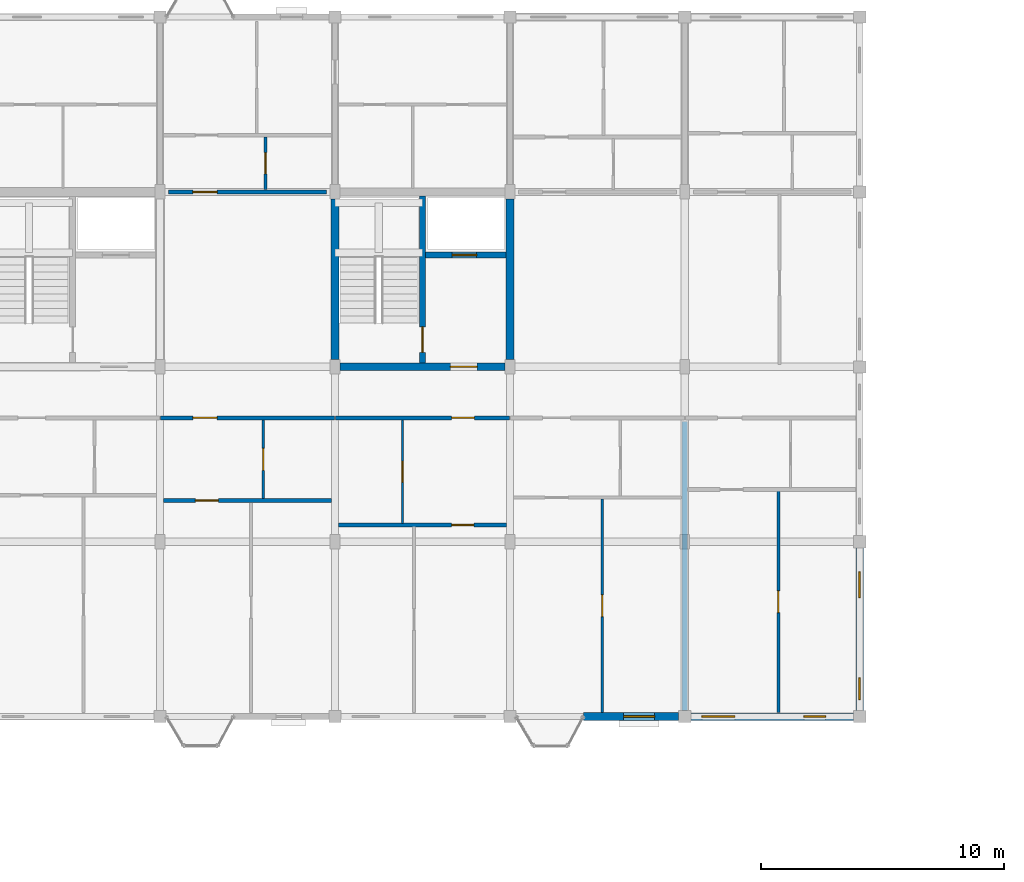
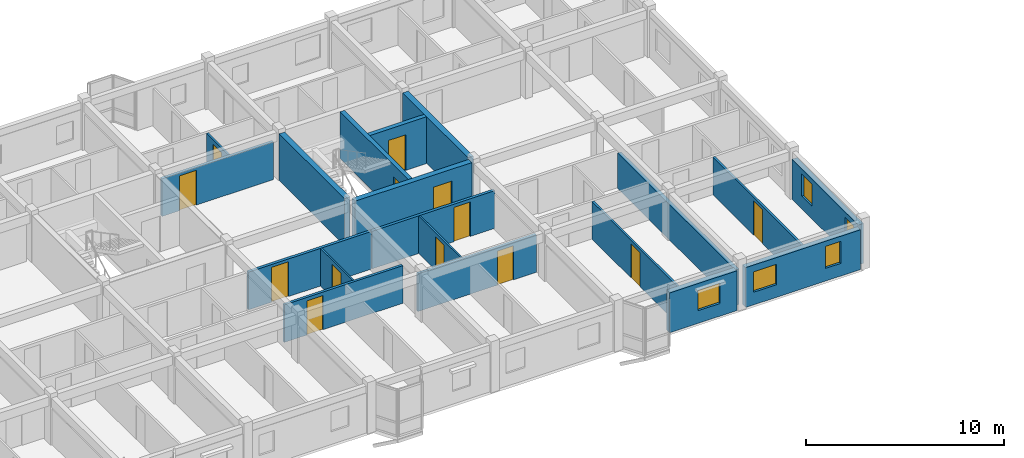
# One storey, part 57 of 65: 19 walls, 13 doors, 5 windows, 18 openings.
"""IFC4 building model written with IfcOpenShell, lengths in metres."""

from ifc_helpers import new_model, si_unit, direction, frame, frame_2d, origin, place, context, subcontext, project, spatial, rectangle, extrude, material, layer, layer_set, type_object, element, fill, save


model = new_model("IFC4")

# Units and contexts
model_context = context("Model", 3, precision=1e-05, world=origin(), true_north=direction((0.0, 1.0)))
body_context = subcontext(model_context, "Body", "Model", "MODEL_VIEW")
ifc_project = project(units=[si_unit("LENGTHUNIT", "METRE"), si_unit("AREAUNIT", "SQUARE_METRE"), si_unit("VOLUMEUNIT", "CUBIC_METRE"), si_unit("PLANEANGLEUNIT", "RADIAN"), si_unit("MASSUNIT", "GRAM", prefix="KILO"), si_unit("THERMODYNAMICTEMPERATUREUNIT", "KELVIN"), si_unit("POWERUNIT", "WATT")], contexts=[model_context])

# Site, building, storey
site_placement = place(None, origin())
site = spatial("IfcSite", under=ifc_project, at=site_placement, CompositionType="ELEMENT")
building_placement = place(site_placement, origin())
building = spatial("IfcBuilding", under=site, at=building_placement, Name="Tavuni Mirador Residences", CompositionType="ELEMENT")
storey_placement = place(building_placement, frame((0.0, 0.0, 29.699951171875)))
storey = spatial("IfcBuildingStorey", under=building, at=storey_placement, Name="L09", CompositionType="ELEMENT", Elevation=29.699951171875)

# Wall, opening, door
ifc_material_1 = material(Name="Precast concrete C40/50", Category="concrete")
ifc_layer_1 = layer(ifc_material_1, 0.25, Name="Precast concrete C40/50", Category="concrete")
ifc_layer_set_1 = layer_set([ifc_layer_1], Name="Precast concrete C40/50")
wall_type_1 = type_object("IfcWallType", Name="WT-COR250", PredefinedType="SHEAR", material=ifc_layer_set_1)
wall_1_placement = place(storey_placement, frame((43.199951171875, 158.56005859375, 0.0), z_axis=(0.0, 0.0, 1.0), x_axis=(0.0, 1.0, 0.0)))
wall_1 = element("IfcWall", 1, at=wall_1_placement, inside=storey, type_object=wall_type_1, Name="CWALL-C6-L09-MID", PredefinedType="SHEAR", context=body_context, shape_type="SweptSolid", body=[
    extrude(rectangle(XDim=6.8798828125, YDim=0.25, at=frame_2d((3.43994140625, 0.0))), origin(), (0.0, 0.0, 1.0), 2.885009765625),
])
opening_1_placement = place(wall_1_placement, frame((0.43994140625, 0.0, 0.0)))
opening_1 = element("IfcOpeningElement", 2, at=opening_1_placement, cuts=wall_1, Name="Opening D-01", PredefinedType="OPENING", context=body_context, shape_type="SweptSolid", body=[
    extrude(rectangle(XDim=1.050048828125, YDim=2.14990234375, at=frame_2d((0.52490234375, 1.074951171875))), frame((0.0, 0.135009765625, 0.0), z_axis=(0.0, -1.0, 0.0), x_axis=(1.0, 0.0, 0.0)), (0.0, 0.0, 1.0), 0.27001953125),
])
ifc_material_2 = material(Name="Solid core iroko timber", Category="wood")
door_type_1 = type_object("IfcDoorType", Name="DT-ST1050", OperationType="NOTDEFINED", PredefinedType="DOOR", material=ifc_material_2)
door_1_placement = place(opening_1_placement, origin())
door_1 = element("IfcDoor", 3, at=door_1_placement, inside=storey, type_object=door_type_1, Name="DR-2247", OperationType="SINGLE_SWING_LEFT", OverallHeight=2.14990234375, OverallWidth=1.050048828125, PredefinedType="DOOR", context=body_context, shape_type="SweptSolid", body=[
    extrude(rectangle(XDim=1.050048828125, YDim=2.14990234375, at=frame_2d((0.52490234375, 1.074951171875))), frame((0.0, 0.02490234375, 0.0), z_axis=(0.0, -1.0, 0.0), x_axis=(1.0, 0.0, 0.0)), (0.0, 0.0, 1.0), 0.050048828125),
])
fill(opening_1, door_1)

wall_2_placement = place(storey_placement, frame((43.324951171875, 163.0, 0.0), z_axis=(0.0, 0.0, 1.0), x_axis=(1.0, 0.0, 0.0)))
wall_2 = element("IfcWall", 4, at=wall_2_placement, inside=storey, type_object=wall_type_1, Name="CWALL-C6-L09-SHF", PredefinedType="SHEAR", context=body_context, shape_type="SweptSolid", body=[
    extrude(rectangle(XDim=3.31494140625, YDim=0.25, at=frame_2d((1.657470703125, 0.0))), origin(), (0.0, 0.0, 1.0), 2.885009765625),
])
opening_2_placement = place(wall_2_placement, frame((1.10009765625, 0.0, 0.0)))
opening_2 = element("IfcOpeningElement", 5, at=opening_2_placement, cuts=wall_2, Name="Opening LD-02", PredefinedType="OPENING", context=body_context, shape_type="SweptSolid", body=[
    extrude(rectangle(XDim=1.0, YDim=2.199951171875, at=frame_2d((0.5, 1.10009765625))), frame((0.0, 0.135009765625, 0.0), z_axis=(0.0, -1.0, 0.0), x_axis=(1.0, 0.0, 0.0)), (0.0, 0.0, 1.0), 0.27001953125),
])
ifc_material_3 = material(Name="Structural steel S355", Category="steel")
door_type_2 = type_object("IfcDoorType", Name="DT-LD-PAX", OperationType="SLIDING_TO_LEFT", PredefinedType="DOOR", material=ifc_material_3)
door_2_placement = place(opening_2_placement, origin())
door_2 = element("IfcDoor", 6, at=door_2_placement, inside=storey, type_object=door_type_2, Name="Lift landing door PL-C1 L09", OperationType="SLIDING_TO_LEFT", OverallHeight=2.199951171875, OverallWidth=1.0, PredefinedType="DOOR", context=body_context, shape_type="SweptSolid", body=[
    extrude(rectangle(XDim=1.0, YDim=2.199951171875, at=frame_2d((0.5, 1.10009765625))), frame((0.0, 0.02490234375, 0.0), z_axis=(0.0, -1.0, 0.0), x_axis=(1.0, 0.0, 0.0)), (0.0, 0.0, 1.0), 0.050048828125),
])
fill(opening_2, door_2)

# Walls
ifc_layer_2 = layer(ifc_material_1, 0.320068359375, Name="Precast concrete C40/50", Category="concrete")
ifc_layer_set_2 = layer_set([ifc_layer_2], Name="Precast concrete C40/50")
wall_type_2 = type_object("IfcWallType", Name="WT-COR320", PredefinedType="SHEAR", material=ifc_layer_set_2)
for number, where, z_axis, x_axis, name in (
    (7, (39.60009765625, 158.699951171875, 0.0), (0.0, 0.0, 1.0), (0.0, 1.0, 0.0), "CWALL-C6-L09-W"),
    (8, (46.800048828125, 158.699951171875, 0.0), (0.0, 0.0, 1.0), (0.0, 1.0, 0.0), "CWALL-C6-L09-E"),
):
    element("IfcWall", number, at=place(storey_placement, frame(where, z_axis=z_axis, x_axis=x_axis)), inside=storey, type_object=wall_type_2, Name=name, PredefinedType="SHEAR", context=body_context, shape_type="SweptSolid", body=[
        extrude(rectangle(XDim=6.60009765625, YDim=0.320068359375, at=frame_2d((3.300048828125, 0.0))), origin(), (0.0, 0.0, 1.0), 2.885009765625),
    ])

# Wall, opening, door
wall_3_placement = place(storey_placement, frame((39.800048828125, 158.39990234375, 0.0), z_axis=(0.0, 0.0, 1.0), x_axis=(1.0, 0.0, 0.0)))
wall_3 = element("IfcWall", 9, at=wall_3_placement, inside=storey, type_object=wall_type_2, Name="CWALL-C6-L09-SS", PredefinedType="SHEAR", context=body_context, shape_type="SweptSolid", body=[
    extrude(rectangle(XDim=6.800048828125, YDim=0.320068359375, at=frame_2d((3.39990234375, 0.0))), origin(), (0.0, 0.0, 1.0), 2.885009765625),
])
opening_3_placement = place(wall_3_placement, frame((4.550048828125, 0.0, 0.0)))
opening_3 = element("IfcOpeningElement", 10, at=opening_3_placement, cuts=wall_3, Name="Opening D-02", PredefinedType="OPENING", context=body_context, shape_type="SweptSolid", body=[
    extrude(rectangle(XDim=1.10009765625, YDim=2.14990234375, at=frame_2d((0.550048828125, 1.074951171875))), frame((0.0, 0.169921875, 0.0), z_axis=(0.0, -1.0, 0.0), x_axis=(1.0, 0.0, 0.0)), (0.0, 0.0, 1.0), 0.340087890625),
])
door_type_3 = type_object("IfcDoorType", Name="DT-LOB1100", OperationType="NOTDEFINED", PredefinedType="DOOR", material=ifc_material_2)
door_3_placement = place(opening_3_placement, frame((1.10009765625, 0.0, 0.0), z_axis=(0.0, 0.0, 1.0), x_axis=(-1.0, 0.0, 0.0)))
door_3 = element("IfcDoor", 11, at=door_3_placement, inside=storey, type_object=door_type_3, Name="DR-2246", OperationType="SINGLE_SWING_RIGHT", OverallHeight=2.14990234375, OverallWidth=1.10009765625, PredefinedType="DOOR", context=body_context, shape_type="SweptSolid", body=[
    extrude(rectangle(XDim=1.10009765625, YDim=2.14990234375, at=frame_2d((0.550048828125, 1.074951171875))), frame((0.0, 0.02490234375, 0.0), z_axis=(0.0, -1.0, 0.0), x_axis=(1.0, 0.0, 0.0)), (0.0, 0.0, 1.0), 0.050048828125),
])
fill(opening_3, door_3)

ifc_layer_3 = layer(ifc_material_1, 0.1650390625, Name="Precast concrete C40/50", Category="concrete")
ifc_layer_set_3 = layer_set([ifc_layer_3], Name="Precast concrete C40/50")
wall_type_3 = type_object("IfcWallType", Name="WT-CORR165", PredefinedType="PARTITIONING", material=ifc_layer_set_3)
wall_4_placement = place(storey_placement, frame((32.419921875, 156.300048828125, 0.0), z_axis=(0.0, 0.0, 1.0), x_axis=(1.0, 0.0, 0.0)))
wall_4 = element("IfcWall", 12, at=wall_4_placement, inside=storey, type_object=wall_type_3, Name="CORW-BLK-C-L09-0-03", PredefinedType="PARTITIONING", context=body_context, shape_type="SweptSolid", body=[
    extrude(rectangle(XDim=7.16015625, YDim=0.1650390625, at=frame_2d((3.580078125, 0.0))), origin(), (0.0, 0.0, 1.0), 2.320068359375),
])
opening_4_placement = place(wall_4_placement, frame((1.330078125, 0.0, 0.0)))
opening_4 = element("IfcOpeningElement", 13, at=opening_4_placement, cuts=wall_4, Name="Opening D-03", PredefinedType="OPENING", context=body_context, shape_type="SweptSolid", body=[
    extrude(rectangle(XDim=1.0, YDim=2.14990234375, at=frame_2d((0.5, 1.074951171875))), frame((0.0, 0.092529296875, 0.0), z_axis=(0.0, -1.0, 0.0), x_axis=(1.0, 0.0, 0.0)), (0.0, 0.0, 1.0), 0.18505859375),
])
door_type_4 = type_object("IfcDoorType", Name="DT-FD60-1000", OperationType="NOTDEFINED", PredefinedType="DOOR", material=ifc_material_2)
door_4_placement = place(opening_4_placement, origin())
door_4 = element("IfcDoor", 14, at=door_4_placement, inside=storey, type_object=door_type_4, Name="DR-2754", OperationType="SINGLE_SWING_LEFT", OverallHeight=2.14990234375, OverallWidth=1.0, PredefinedType="DOOR", context=body_context, shape_type="SweptSolid", body=[
    extrude(rectangle(XDim=1.0, YDim=2.14990234375, at=frame_2d((0.5, 1.074951171875))), frame((0.0, 0.02490234375, 0.0), z_axis=(0.0, -1.0, 0.0), x_axis=(1.0, 0.0, 0.0)), (0.0, 0.0, 1.0), 0.050048828125),
])
fill(opening_4, door_4)

wall_5_placement = place(storey_placement, frame((39.6201171875, 156.300048828125, 0.0), z_axis=(0.0, 0.0, 1.0), x_axis=(1.0, 0.0, 0.0)))
wall_5 = element("IfcWall", 15, at=wall_5_placement, inside=storey, type_object=wall_type_3, Name="CORW-BLK-C-L09-0-04", PredefinedType="PARTITIONING", context=body_context, shape_type="SweptSolid", body=[
    extrude(rectangle(XDim=7.159912109375, YDim=0.1650390625, at=frame_2d((3.580078125, 0.0))), origin(), (0.0, 0.0, 1.0), 2.320068359375),
])
opening_5_placement = place(wall_5_placement, frame((4.780029296875, 0.0, 0.0)))
opening_5 = element("IfcOpeningElement", 16, at=opening_5_placement, cuts=wall_5, Name="Opening D-19", PredefinedType="OPENING", context=body_context, shape_type="SweptSolid", body=[
    extrude(rectangle(XDim=0.93994140625, YDim=2.1201171875, at=frame_2d((0.469970703125, 1.06005859375))), frame((0.0, 0.092529296875, 0.0), z_axis=(0.0, -1.0, 0.0), x_axis=(1.0, 0.0, 0.0)), (0.0, 0.0, 1.0), 0.18505859375),
])
door_type_5 = type_object("IfcDoorType", Name="DT-FD60-940", OperationType="NOTDEFINED", PredefinedType="DOOR", material=ifc_material_2)
door_5_placement = place(opening_5_placement, origin())
door_5 = element("IfcDoor", 17, at=door_5_placement, inside=storey, type_object=door_type_5, Name="DR-2755", OperationType="SINGLE_SWING_RIGHT", OverallHeight=2.1201171875, OverallWidth=0.93994140625, PredefinedType="DOOR", context=body_context, shape_type="SweptSolid", body=[
    extrude(rectangle(XDim=0.93994140625, YDim=2.1201171875, at=frame_2d((0.469970703125, 1.06005859375))), frame((0.0, 0.02490234375, 0.0), z_axis=(0.0, -1.0, 0.0), x_axis=(1.0, 0.0, 0.0)), (0.0, 0.0, 1.0), 0.050048828125),
])
fill(opening_5, door_5)

wall_6_placement = place(storey_placement, frame((32.75, 165.60009765625, 0.0), z_axis=(0.0, 0.0, 1.0), x_axis=(1.0, 0.0, 0.0)))
wall_6 = element("IfcWall", 18, at=wall_6_placement, inside=storey, type_object=wall_type_3, Name="CORW-BLK-C-L09-1-03", PredefinedType="PARTITIONING", context=body_context, shape_type="SweptSolid", body=[
    extrude(rectangle(XDim=6.5, YDim=0.1650390625, at=frame_2d((3.25, 0.0))), origin(), (0.0, 0.0, 1.0), 2.320068359375),
])
opening_6_placement = place(wall_6_placement, frame((1.0, 0.0, 0.0)))
opening_6 = element("IfcOpeningElement", 19, at=opening_6_placement, cuts=wall_6, Name="Opening D-03", PredefinedType="OPENING", context=body_context, shape_type="SweptSolid", body=[
    extrude(rectangle(XDim=1.0, YDim=2.14990234375, at=frame_2d((0.5, 1.074951171875))), frame((0.0, 0.092529296875, 0.0), z_axis=(0.0, -1.0, 0.0), x_axis=(1.0, 0.0, 0.0)), (0.0, 0.0, 1.0), 0.18505859375),
])
door_6_placement = place(opening_6_placement, origin())
door_6 = element("IfcDoor", 20, at=door_6_placement, inside=storey, type_object=door_type_4, Name="DR-2760", OperationType="SINGLE_SWING_LEFT", OverallHeight=2.14990234375, OverallWidth=1.0, PredefinedType="DOOR", context=body_context, shape_type="SweptSolid", body=[
    extrude(rectangle(XDim=1.0, YDim=2.14990234375, at=frame_2d((0.5, 1.074951171875))), frame((0.0, 0.02490234375, 0.0), z_axis=(0.0, -1.0, 0.0), x_axis=(1.0, 0.0, 0.0)), (0.0, 0.0, 1.0), 0.050048828125),
])
fill(opening_6, door_6)

# Wall, opening, window
ifc_layer_4 = layer(ifc_material_1, 0.330078125, Name="Precast concrete C40/50", Category="concrete")
ifc_layer_set_4 = layer_set([ifc_layer_4], Name="Precast concrete C40/50")
wall_type_4 = type_object("IfcWallType", Name="WT-EXT-COR330", PredefinedType="SOLIDWALL", material=ifc_layer_set_4)
wall_7_placement = place(storey_placement, frame((49.820068359375, 144.0, 0.0), z_axis=(0.0, 0.0, 1.0), x_axis=(1.0, 0.0, 0.0)))
wall_7 = element("IfcWall", 21, at=wall_7_placement, inside=storey, type_object=wall_type_4, Name="EW-BLK-C-L09-S05", PredefinedType="SOLIDWALL", context=body_context, shape_type="SweptSolid", body=[
    extrude(rectangle(XDim=3.929931640625, YDim=0.330078125, at=frame_2d((1.96484375, 0.0))), origin(), (0.0, 0.0, 1.0), 2.455078125),
])
opening_7_placement = place(wall_7_placement, frame((1.659912109375, 0.0, 0.780029296875)))
opening_7 = element("IfcOpeningElement", 22, at=opening_7_placement, cuts=wall_7, Name="Opening WN-14", PredefinedType="OPENING", context=body_context, shape_type="SweptSolid", body=[
    extrude(rectangle(XDim=1.280029296875, YDim=1.260009765625, at=frame_2d((0.64013671875, 0.6298828125))), frame((0.0, 0.175048828125, 0.0), z_axis=(0.0, -1.0, 0.0), x_axis=(1.0, 0.0, 0.0)), (0.0, 0.0, 1.0), 0.35009765625),
])
ifc_material_4 = material(Name="Laminated solar-control glass", Category="glass")
window_type_1 = type_object("IfcWindowType", Name="WNT-14", PartitioningType="SINGLE_PANEL", PredefinedType="WINDOW", material=ifc_material_4)
window_1_placement = place(opening_7_placement, origin())
window_1 = element("IfcWindow", 23, at=window_1_placement, inside=storey, type_object=window_type_1, Name="WIN-1234", OverallHeight=1.260009765625, OverallWidth=1.280029296875, PartitioningType="SINGLE_PANEL", PredefinedType="WINDOW", context=body_context, shape_type="SweptSolid", body=[
    extrude(rectangle(XDim=1.280029296875, YDim=1.260009765625, at=frame_2d((0.64013671875, 0.6298828125))), frame((0.0, 0.030029296875, 0.0), z_axis=(0.0, -1.0, 0.0), x_axis=(1.0, 0.0, 0.0)), (0.0, 0.0, 1.0), 0.06005859375),
])
fill(opening_7, window_1)

# Wall, openings, windows
ifc_material_5 = material(Name="Sgraffito lime-rendered precast concrete C40/50", Category="concrete")
ifc_layer_5 = layer(ifc_material_5, 0.304931640625, Name="Sgraffito lime-rendered precast concrete C40/50", Category="concrete")
ifc_layer_set_5 = layer_set([ifc_layer_5], Name="Sgraffito lime-rendered precast concrete C40/50")
wall_type_5 = type_object("IfcWallType", Name="WT-EXT-PC305", PredefinedType="SOLIDWALL", material=ifc_layer_set_5)
wall_8_placement = place(storey_placement, frame((61.199951171875, 144.25, 0.0), z_axis=(0.0, 0.0, 1.0), x_axis=(0.0, 1.0, 0.0)))
wall_8 = element("IfcWall", 24, at=wall_8_placement, inside=storey, type_object=wall_type_5, Name="EW-BLK-C-L09-E00", PredefinedType="SOLIDWALL", context=body_context, shape_type="SweptSolid", body=[
    extrude(rectangle(XDim=6.699951171875, YDim=0.304931640625, at=frame_2d((3.35009765625, 0.0))), origin(), (0.0, 0.0, 1.0), 2.455078125),
])
opening_8_placement = place(wall_8_placement, frame((0.449951171875, 0.0, 0.780029296875)))
opening_8 = element("IfcOpeningElement", 25, at=opening_8_placement, cuts=wall_8, Name="Opening WN-17", PredefinedType="OPENING", context=body_context, shape_type="SweptSolid", body=[
    extrude(rectangle(XDim=0.89990234375, YDim=1.360107421875, at=frame_2d((0.449951171875, 0.68017578125))), frame((0.0, 0.16259765625, 0.0), z_axis=(0.0, -1.0, 0.0), x_axis=(1.0, 0.0, 0.0)), (0.0, 0.0, 1.0), 0.324951171875),
])
opening_9_placement = place(wall_8_placement, frame((4.64990234375, 0.0, 0.780029296875)))
opening_9 = element("IfcOpeningElement", 26, at=opening_9_placement, cuts=wall_8, Name="Opening WN-19", PredefinedType="OPENING", context=body_context, shape_type="SweptSolid", body=[
    extrude(rectangle(XDim=1.06005859375, YDim=1.360107421875, at=frame_2d((0.530029296875, 0.68017578125))), frame((0.0, 0.16259765625, 0.0), z_axis=(0.0, -1.0, 0.0), x_axis=(1.0, 0.0, 0.0)), (0.0, 0.0, 1.0), 0.324951171875),
])
window_type_2 = type_object("IfcWindowType", Name="WNT-17", PartitioningType="SINGLE_PANEL", PredefinedType="WINDOW", material=ifc_material_4)
window_2_placement = place(opening_8_placement, origin())
window_2 = element("IfcWindow", 27, at=window_2_placement, inside=storey, type_object=window_type_2, Name="WIN-1237", OverallHeight=1.360107421875, OverallWidth=0.89990234375, PartitioningType="SINGLE_PANEL", PredefinedType="WINDOW", context=body_context, shape_type="SweptSolid", body=[
    extrude(rectangle(XDim=0.89990234375, YDim=1.360107421875, at=frame_2d((0.449951171875, 0.68017578125))), frame((0.0, 0.030029296875, 0.0), z_axis=(0.0, -1.0, 0.0), x_axis=(1.0, 0.0, 0.0)), (0.0, 0.0, 1.0), 0.06005859375),
])
fill(opening_8, window_2)
window_type_3 = type_object("IfcWindowType", Name="WNT-19", PartitioningType="SINGLE_PANEL", PredefinedType="WINDOW", material=ifc_material_4)
window_3_placement = place(opening_9_placement, origin())
window_3 = element("IfcWindow", 28, at=window_3_placement, inside=storey, type_object=window_type_3, Name="WIN-1238", OverallHeight=1.360107421875, OverallWidth=1.06005859375, PartitioningType="SINGLE_PANEL", PredefinedType="WINDOW", context=body_context, shape_type="SweptSolid", body=[
    extrude(rectangle(XDim=1.06005859375, YDim=1.360107421875, at=frame_2d((0.530029296875, 0.68017578125))), frame((0.0, 0.030029296875, 0.0), z_axis=(0.0, -1.0, 0.0), x_axis=(1.0, 0.0, 0.0)), (0.0, 0.0, 1.0), 0.06005859375),
])
fill(opening_9, window_3)

ifc_layer_6 = layer(ifc_material_5, 0.31494140625, Name="Sgraffito lime-rendered precast concrete C40/50", Category="concrete")
ifc_layer_set_6 = layer_set([ifc_layer_6], Name="Sgraffito lime-rendered precast concrete C40/50")
wall_type_6 = type_object("IfcWallType", Name="WT-EXT-PC315", PredefinedType="SOLIDWALL", material=ifc_layer_set_6)
wall_9_placement = place(storey_placement, frame((54.25, 144.0, 0.0), z_axis=(0.0, 0.0, 1.0), x_axis=(1.0, 0.0, 0.0)))
wall_9 = element("IfcWall", 29, at=wall_9_placement, inside=storey, type_object=wall_type_6, Name="EW-BLK-C-L09-S06", PredefinedType="SOLIDWALL", context=body_context, shape_type="SweptSolid", body=[
    extrude(rectangle(XDim=6.699951171875, YDim=0.31494140625, at=frame_2d((3.35009765625, 0.0))), origin(), (0.0, 0.0, 1.0), 2.455078125),
])
opening_10_placement = place(wall_9_placement, frame((0.449951171875, 0.0, 0.780029296875)))
opening_10 = element("IfcOpeningElement", 30, at=opening_10_placement, cuts=wall_9, Name="Opening WN-15", PredefinedType="OPENING", context=body_context, shape_type="SweptSolid", body=[
    extrude(rectangle(XDim=1.360107421875, YDim=1.260009765625, at=frame_2d((0.68017578125, 0.6298828125))), frame((0.0, 0.16748046875, 0.0), z_axis=(0.0, -1.0, 0.0), x_axis=(1.0, 0.0, 0.0)), (0.0, 0.0, 1.0), 0.3349609375),
])
opening_11_placement = place(wall_9_placement, frame((4.64990234375, 0.0, 0.780029296875)))
opening_11 = element("IfcOpeningElement", 31, at=opening_11_placement, cuts=wall_9, Name="Opening WN-17", PredefinedType="OPENING", context=body_context, shape_type="SweptSolid", body=[
    extrude(rectangle(XDim=0.89990234375, YDim=1.360107421875, at=frame_2d((0.449951171875, 0.68017578125))), frame((0.0, 0.16748046875, 0.0), z_axis=(0.0, -1.0, 0.0), x_axis=(1.0, 0.0, 0.0)), (0.0, 0.0, 1.0), 0.3349609375),
])
window_type_4 = type_object("IfcWindowType", Name="WNT-15", PartitioningType="SINGLE_PANEL", PredefinedType="WINDOW", material=ifc_material_4)
window_4_placement = place(opening_10_placement, origin())
window_4 = element("IfcWindow", 32, at=window_4_placement, inside=storey, type_object=window_type_4, Name="WIN-1235", OverallHeight=1.260009765625, OverallWidth=1.360107421875, PartitioningType="SINGLE_PANEL", PredefinedType="WINDOW", context=body_context, shape_type="SweptSolid", body=[
    extrude(rectangle(XDim=1.360107421875, YDim=1.260009765625, at=frame_2d((0.68017578125, 0.6298828125))), frame((0.0, 0.030029296875, 0.0), z_axis=(0.0, -1.0, 0.0), x_axis=(1.0, 0.0, 0.0)), (0.0, 0.0, 1.0), 0.06005859375),
])
fill(opening_10, window_4)
window_5_placement = place(opening_11_placement, origin())
window_5 = element("IfcWindow", 33, at=window_5_placement, inside=storey, type_object=window_type_2, Name="WIN-1236", OverallHeight=1.360107421875, OverallWidth=0.89990234375, PartitioningType="SINGLE_PANEL", PredefinedType="WINDOW", context=body_context, shape_type="SweptSolid", body=[
    extrude(rectangle(XDim=0.89990234375, YDim=1.360107421875, at=frame_2d((0.449951171875, 0.68017578125))), frame((0.0, 0.030029296875, 0.0), z_axis=(0.0, -1.0, 0.0), x_axis=(1.0, 0.0, 0.0)), (0.0, 0.0, 1.0), 0.06005859375),
])
fill(opening_11, window_5)

# Wall, opening, door
ifc_material_6 = material(Name="Acoustic gypsum and concrete block partition", Category="concrete")
ifc_layer_7 = layer(ifc_material_6, 0.094970703125, Name="Acoustic gypsum and concrete block partition", Category="concrete")
ifc_layer_set_7 = layer_set([ifc_layer_7], Name="Acoustic gypsum and concrete block partition")
wall_type_7 = type_object("IfcWallType", Name="WT-PART095", PredefinedType="PARTITIONING", material=ifc_layer_set_7)
wall_10_placement = place(storey_placement, frame((36.64990234375, 152.969970703125, 0.0), z_axis=(0.0, 0.0, 1.0), x_axis=(0.0, 1.0, 0.0)))
wall_10 = element("IfcWall", 34, at=wall_10_placement, inside=storey, type_object=wall_type_7, Name="PW-BLK-C-L09-S03-IN1", PredefinedType="PARTITIONING", context=body_context, shape_type="SweptSolid", body=[
    extrude(rectangle(XDim=3.239990234375, YDim=0.094970703125, at=frame_2d((1.6201171875, 0.0))), origin(), (0.0, 0.0, 1.0), 2.320068359375),
])
opening_12_placement = place(wall_10_placement, frame((1.169921875, 0.0, 0.0)))
opening_12 = element("IfcOpeningElement", 35, at=opening_12_placement, cuts=wall_10, Name="Opening D-09", PredefinedType="OPENING", context=body_context, shape_type="SweptSolid", body=[
    extrude(rectangle(XDim=0.89990234375, YDim=2.050048828125, at=frame_2d((0.449951171875, 1.02490234375))), frame((0.0, 0.0576171875, 0.0), z_axis=(0.0, -1.0, 0.0), x_axis=(1.0, 0.0, 0.0)), (0.0, 0.0, 1.0), 0.114990234375),
])
door_type_6 = type_object("IfcDoorType", Name="DT-WC900", OperationType="NOTDEFINED", PredefinedType="DOOR", material=ifc_material_2)
door_7_placement = place(opening_12_placement, origin())
door_7 = element("IfcDoor", 36, at=door_7_placement, inside=storey, type_object=door_type_6, Name="DR-4132", OperationType="SINGLE_SWING_LEFT", OverallHeight=2.050048828125, OverallWidth=0.89990234375, PredefinedType="DOOR", context=body_context, shape_type="SweptSolid", body=[
    extrude(rectangle(XDim=0.89990234375, YDim=2.050048828125, at=frame_2d((0.449951171875, 1.02490234375))), frame((0.0, 0.02490234375, 0.0), z_axis=(0.0, -1.0, 0.0), x_axis=(1.0, 0.0, 0.0)), (0.0, 0.0, 1.0), 0.050048828125),
])
fill(opening_12, door_7)

wall_11_placement = place(storey_placement, frame((42.3798828125, 151.9599609375, 0.0), z_axis=(0.0, 0.0, 1.0), x_axis=(0.0, 1.0, 0.0)))
wall_11 = element("IfcWall", 37, at=wall_11_placement, inside=storey, type_object=wall_type_7, Name="PW-BLK-C-L09-S04-IN1", PredefinedType="PARTITIONING", context=body_context, shape_type="SweptSolid", body=[
    extrude(rectangle(XDim=4.25, YDim=0.094970703125, at=frame_2d((2.125, 0.0))), origin(), (0.0, 0.0, 1.0), 2.320068359375),
])
opening_13_placement = place(wall_11_placement, frame((1.68994140625, 0.0, 0.0)))
opening_13 = element("IfcOpeningElement", 38, at=opening_13_placement, cuts=wall_11, Name="Opening D-10", PredefinedType="OPENING", context=body_context, shape_type="SweptSolid", body=[
    extrude(rectangle(XDim=0.8701171875, YDim=2.050048828125, at=frame_2d((0.43505859375, 1.02490234375))), frame((0.0, 0.0576171875, 0.0), z_axis=(0.0, -1.0, 0.0), x_axis=(1.0, 0.0, 0.0)), (0.0, 0.0, 1.0), 0.114990234375),
])
door_type_7 = type_object("IfcDoorType", Name="DT-WC870", OperationType="NOTDEFINED", PredefinedType="DOOR", material=ifc_material_2)
door_8_placement = place(opening_13_placement, origin())
door_8 = element("IfcDoor", 39, at=door_8_placement, inside=storey, type_object=door_type_7, Name="DR-4138", OperationType="SINGLE_SWING_RIGHT", OverallHeight=2.050048828125, OverallWidth=0.8701171875, PredefinedType="DOOR", context=body_context, shape_type="SweptSolid", body=[
    extrude(rectangle(XDim=0.8701171875, YDim=2.050048828125, at=frame_2d((0.43505859375, 1.02490234375))), frame((0.0, 0.02490234375, 0.0), z_axis=(0.0, -1.0, 0.0), x_axis=(1.0, 0.0, 0.0)), (0.0, 0.0, 1.0), 0.050048828125),
])
fill(opening_13, door_8)

ifc_layer_8 = layer(ifc_material_6, 0.10498046875, Name="Acoustic gypsum and concrete block partition", Category="concrete")
ifc_layer_set_8 = layer_set([ifc_layer_8], Name="Acoustic gypsum and concrete block partition")
wall_type_8 = type_object("IfcWallType", Name="WT-PART105", PredefinedType="PARTITIONING", material=ifc_layer_set_8)
wall_12_placement = place(storey_placement, frame((36.739990234375, 165.68994140625, 0.0), z_axis=(0.0, 0.0, 1.0), x_axis=(0.0, 1.0, 0.0)))
wall_12 = element("IfcWall", 40, at=wall_12_placement, inside=storey, type_object=wall_type_8, Name="PW-BLK-C-L09-N03-IN1", PredefinedType="PARTITIONING", context=body_context, shape_type="SweptSolid", body=[
    extrude(rectangle(XDim=2.18017578125, YDim=0.10498046875, at=frame_2d((1.090087890625, 0.0))), origin(), (0.0, 0.0, 1.0), 2.320068359375),
])
opening_14_placement = place(wall_12_placement, frame((0.655029296875, 0.0, 0.0)))
opening_14 = element("IfcOpeningElement", 41, at=opening_14_placement, cuts=wall_12, Name="Opening D-10", PredefinedType="OPENING", context=body_context, shape_type="SweptSolid", body=[
    extrude(rectangle(XDim=0.8701171875, YDim=2.050048828125, at=frame_2d((0.43505859375, 1.02490234375))), frame((0.0, 0.0625, 0.0), z_axis=(0.0, -1.0, 0.0), x_axis=(1.0, 0.0, 0.0)), (0.0, 0.0, 1.0), 0.125),
])
door_9_placement = place(opening_14_placement, origin())
door_9 = element("IfcDoor", 42, at=door_9_placement, inside=storey, type_object=door_type_7, Name="DR-4135", OperationType="SINGLE_SWING_RIGHT", OverallHeight=2.050048828125, OverallWidth=0.8701171875, PredefinedType="DOOR", context=body_context, shape_type="SweptSolid", body=[
    extrude(rectangle(XDim=0.8701171875, YDim=2.050048828125, at=frame_2d((0.43505859375, 1.02490234375))), frame((0.0, 0.02490234375, 0.0), z_axis=(0.0, -1.0, 0.0), x_axis=(1.0, 0.0, 0.0)), (0.0, 0.0, 1.0), 0.050048828125),
])
fill(opening_14, door_9)

ifc_layer_9 = layer(ifc_material_6, 0.114990234375, Name="Acoustic gypsum and concrete block partition", Category="concrete")
ifc_layer_set_9 = layer_set([ifc_layer_9], Name="Acoustic gypsum and concrete block partition")
wall_type_9 = type_object("IfcWallType", Name="WT-PART115", PredefinedType="PARTITIONING", material=ifc_layer_set_9)
wall_13_placement = place(storey_placement, frame((50.60009765625, 144.175048828125, 0.0), z_axis=(0.0, 0.0, 1.0), x_axis=(0.0, 1.0, 0.0)))
wall_13 = element("IfcWall", 43, at=wall_13_placement, inside=storey, type_object=wall_type_9, Name="PW-BLK-C-L09-S05-OUT", PredefinedType="PARTITIONING", context=body_context, shape_type="SweptSolid", body=[
    extrude(rectangle(XDim=8.77490234375, YDim=0.114990234375, at=frame_2d((4.387451171875, 0.0))), origin(), (0.0, 0.0, 1.0), 2.320068359375),
])
opening_15_placement = place(wall_13_placement, frame((3.9375, 0.0, 0.0)))
opening_15 = element("IfcOpeningElement", 44, at=opening_15_placement, cuts=wall_13, Name="Opening D-07", PredefinedType="OPENING", context=body_context, shape_type="SweptSolid", body=[
    extrude(rectangle(XDim=0.89990234375, YDim=2.10009765625, at=frame_2d((0.449951171875, 1.050048828125))), frame((0.0, 0.0673828125, 0.0), z_axis=(0.0, -1.0, 0.0), x_axis=(1.0, 0.0, 0.0)), (0.0, 0.0, 1.0), 0.135009765625),
])
door_type_8 = type_object("IfcDoorType", Name="DT-BED900", OperationType="NOTDEFINED", PredefinedType="DOOR", material=ifc_material_2)
door_10_placement = place(opening_15_placement, origin())
door_10 = element("IfcDoor", 45, at=door_10_placement, inside=storey, type_object=door_type_8, Name="DR-4142", OperationType="SINGLE_SWING_RIGHT", OverallHeight=2.10009765625, OverallWidth=0.89990234375, PredefinedType="DOOR", context=body_context, shape_type="SweptSolid", body=[
    extrude(rectangle(XDim=0.89990234375, YDim=2.10009765625, at=frame_2d((0.449951171875, 1.050048828125))), frame((0.0, 0.02490234375, 0.0), z_axis=(0.0, -1.0, 0.0), x_axis=(1.0, 0.0, 0.0)), (0.0, 0.0, 1.0), 0.050048828125),
])
fill(opening_15, door_10)

ifc_layer_10 = layer(ifc_material_6, 0.125, Name="Acoustic gypsum and concrete block partition", Category="concrete")
ifc_layer_set_10 = layer_set([ifc_layer_10], Name="Acoustic gypsum and concrete block partition")
wall_type_10 = type_object("IfcWallType", Name="WT-PART125", PredefinedType="PARTITIONING", material=ifc_layer_set_10)
wall_14_placement = place(storey_placement, frame((57.85009765625, 144.175048828125, 0.0), z_axis=(0.0, 0.0, 1.0), x_axis=(0.0, 1.0, 0.0)))
wall_14 = element("IfcWall", 46, at=wall_14_placement, inside=storey, type_object=wall_type_10, Name="PW-BLK-C-L09-S06-OUT", PredefinedType="PARTITIONING", context=body_context, shape_type="SweptSolid", body=[
    extrude(rectangle(XDim=9.10498046875, YDim=0.125, at=frame_2d((4.552490234375, 0.0))), origin(), (0.0, 0.0, 1.0), 2.320068359375),
])
opening_16_placement = place(wall_14_placement, frame((4.1025390625, 0.0, 0.0)))
opening_16 = element("IfcOpeningElement", 47, at=opening_16_placement, cuts=wall_14, Name="Opening D-07", PredefinedType="OPENING", context=body_context, shape_type="SweptSolid", body=[
    extrude(rectangle(XDim=0.89990234375, YDim=2.10009765625, at=frame_2d((0.449951171875, 1.050048828125))), frame((0.0, 0.072509765625, 0.0), z_axis=(0.0, -1.0, 0.0), x_axis=(1.0, 0.0, 0.0)), (0.0, 0.0, 1.0), 0.14501953125),
])
door_11_placement = place(opening_16_placement, origin())
door_11 = element("IfcDoor", 48, at=door_11_placement, inside=storey, type_object=door_type_8, Name="DR-4149", OperationType="SINGLE_SWING_RIGHT", OverallHeight=2.10009765625, OverallWidth=0.89990234375, PredefinedType="DOOR", context=body_context, shape_type="SweptSolid", body=[
    extrude(rectangle(XDim=0.89990234375, YDim=2.10009765625, at=frame_2d((0.449951171875, 1.050048828125))), frame((0.0, 0.02490234375, 0.0), z_axis=(0.0, -1.0, 0.0), x_axis=(1.0, 0.0, 0.0)), (0.0, 0.0, 1.0), 0.050048828125),
])
fill(opening_16, door_11)

ifc_layer_11 = layer(ifc_material_6, 0.14990234375, Name="Acoustic gypsum and concrete block partition", Category="concrete")
ifc_layer_set_11 = layer_set([ifc_layer_11], Name="Acoustic gypsum and concrete block partition")
wall_type_11 = type_object("IfcWallType", Name="WT-PART150", PredefinedType="PARTITIONING", material=ifc_layer_set_11)
wall_15_placement = place(storey_placement, frame((32.5400390625, 152.89990234375, 0.0), z_axis=(0.0, 0.0, 1.0), x_axis=(1.0, 0.0, 0.0)))
wall_15 = element("IfcWall", 49, at=wall_15_placement, inside=storey, type_object=wall_type_11, Name="PW-BLK-C-L09-S03-MID", PredefinedType="PARTITIONING", context=body_context, shape_type="SweptSolid", body=[
    extrude(rectangle(XDim=6.919921875, YDim=0.14990234375, at=frame_2d((3.4599609375, 0.0))), origin(), (0.0, 0.0, 1.0), 2.320068359375),
])
opening_17_placement = place(wall_15_placement, frame((1.31005859375, 0.0, 0.0)))
opening_17 = element("IfcOpeningElement", 50, at=opening_17_placement, cuts=wall_15, Name="Opening D-05", PredefinedType="OPENING", context=body_context, shape_type="SweptSolid", body=[
    extrude(rectangle(XDim=0.949951171875, YDim=2.10009765625, at=frame_2d((0.47509765625, 1.050048828125))), frame((0.0, 0.0849609375, 0.0), z_axis=(0.0, -1.0, 0.0), x_axis=(1.0, 0.0, 0.0)), (0.0, 0.0, 1.0), 0.169921875),
])
door_type_9 = type_object("IfcDoorType", Name="DT-INT950", OperationType="NOTDEFINED", PredefinedType="DOOR", material=ifc_material_2)
door_12_placement = place(opening_17_placement, origin())
door_12 = element("IfcDoor", 51, at=door_12_placement, inside=storey, type_object=door_type_9, Name="DR-4133", OperationType="SINGLE_SWING_LEFT", OverallHeight=2.10009765625, OverallWidth=0.949951171875, PredefinedType="DOOR", context=body_context, shape_type="SweptSolid", body=[
    extrude(rectangle(XDim=0.949951171875, YDim=2.10009765625, at=frame_2d((0.47509765625, 1.050048828125))), frame((0.0, 0.02490234375, 0.0), z_axis=(0.0, -1.0, 0.0), x_axis=(1.0, 0.0, 0.0)), (0.0, 0.0, 1.0), 0.050048828125),
])
fill(opening_17, door_12)

wall_16_placement = place(storey_placement, frame((39.739990234375, 151.889892578125, 0.0), z_axis=(0.0, 0.0, 1.0), x_axis=(1.0, 0.0, 0.0)))
wall_16 = element("IfcWall", 52, at=wall_16_placement, inside=storey, type_object=wall_type_11, Name="PW-BLK-C-L09-S04-MID", PredefinedType="PARTITIONING", context=body_context, shape_type="SweptSolid", body=[
    extrude(rectangle(XDim=6.919921875, YDim=0.14990234375, at=frame_2d((3.4599609375, 0.0))), origin(), (0.0, 0.0, 1.0), 2.320068359375),
])
opening_18_placement = place(wall_16_placement, frame((4.659912109375, 0.0, 0.0)))
opening_18 = element("IfcOpeningElement", 53, at=opening_18_placement, cuts=wall_16, Name="Opening D-06", PredefinedType="OPENING", context=body_context, shape_type="SweptSolid", body=[
    extrude(rectangle(XDim=0.919921875, YDim=2.10009765625, at=frame_2d((0.4599609375, 1.050048828125))), frame((0.0, 0.0849609375, 0.0), z_axis=(0.0, -1.0, 0.0), x_axis=(1.0, 0.0, 0.0)), (0.0, 0.0, 1.0), 0.169921875),
])
door_type_10 = type_object("IfcDoorType", Name="DT-INT920", OperationType="NOTDEFINED", PredefinedType="DOOR", material=ifc_material_2)
door_13_placement = place(opening_18_placement, origin())
door_13 = element("IfcDoor", 54, at=door_13_placement, inside=storey, type_object=door_type_10, Name="DR-4139", OperationType="SINGLE_SWING_RIGHT", OverallHeight=2.10009765625, OverallWidth=0.919921875, PredefinedType="DOOR", context=body_context, shape_type="SweptSolid", body=[
    extrude(rectangle(XDim=0.919921875, YDim=2.10009765625, at=frame_2d((0.4599609375, 1.050048828125))), frame((0.0, 0.02490234375, 0.0), z_axis=(0.0, -1.0, 0.0), x_axis=(1.0, 0.0, 0.0)), (0.0, 0.0, 1.0), 0.050048828125),
])
fill(opening_18, door_13)

# Wall
ifc_layer_12 = layer(ifc_material_1, 0.215087890625, Name="Precast concrete C40/50", Category="concrete")
ifc_layer_set_12 = layer_set([ifc_layer_12], Name="Precast concrete C40/50")
wall_type_12 = type_object("IfcWallType", Name="WT-XW215", PredefinedType="SOLIDWALL", material=ifc_layer_set_12)
wall_17_placement = place(storey_placement, frame((54.0, 144.25, 0.0), z_axis=(0.0, 0.0, 1.0), x_axis=(0.0, 1.0, 0.0)))
element("IfcWall", 55, at=wall_17_placement, inside=storey, type_object=wall_type_12, Name="XW-BLK-C-L09-S-06", PredefinedType="SOLIDWALL", context=body_context, shape_type="SweptSolid", body=[
    extrude(rectangle(XDim=11.89990234375, YDim=0.215087890625, at=frame_2d((5.949951171875, 0.0))), origin(), (0.0, 0.0, 1.0), 2.18505859375),
])

save(model, "model.ifc")
